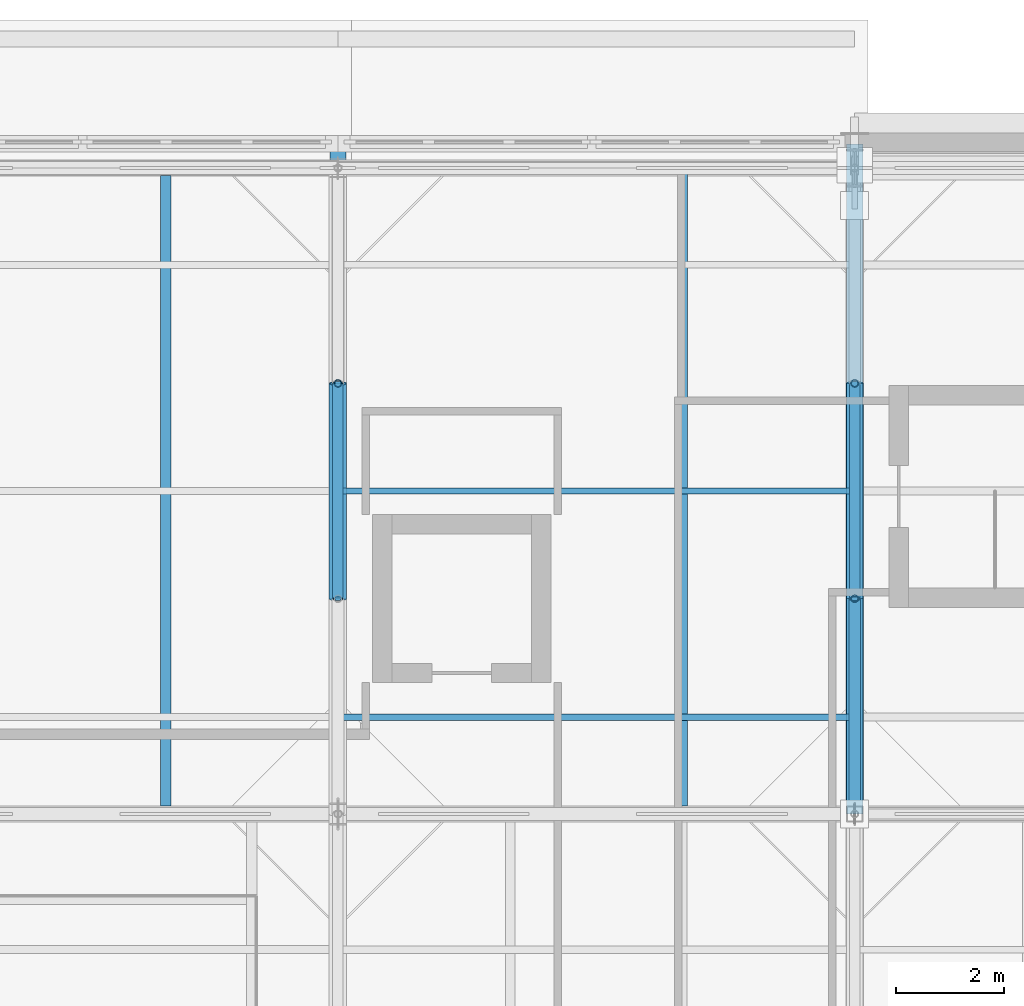
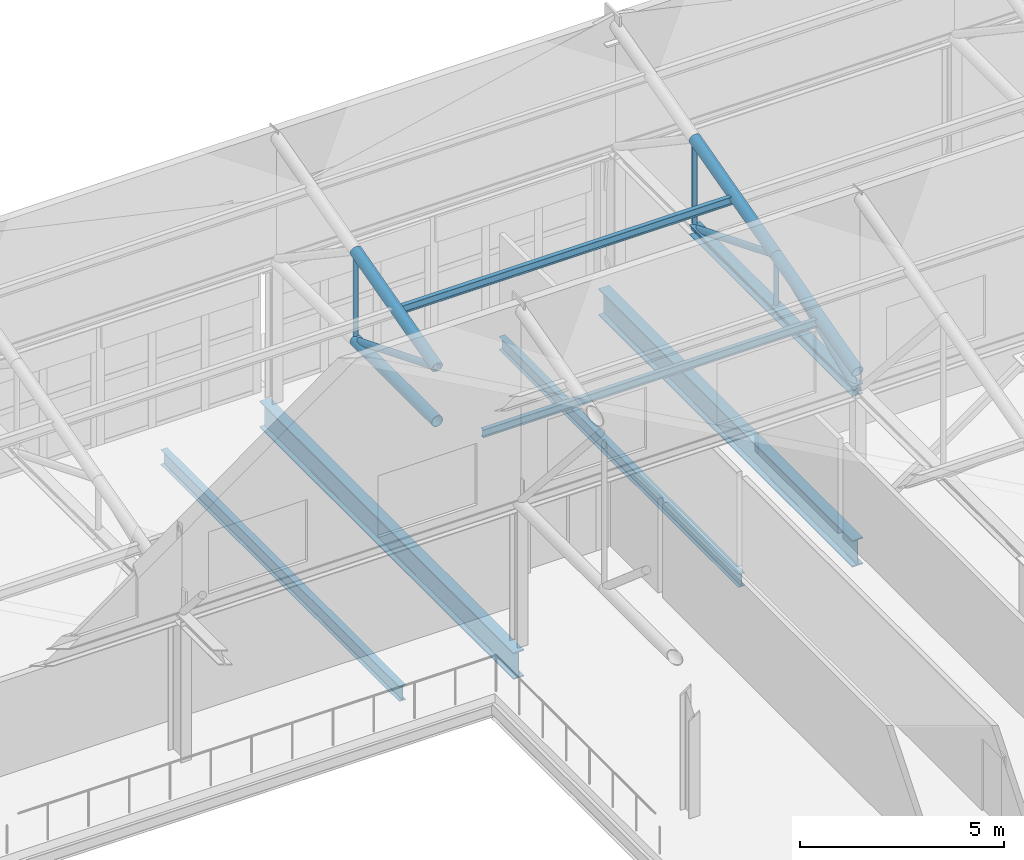
# One storey, part 41 of 89: 14 members, 4 beams.
"""IFC4 building model written with IfcOpenShell, lengths in metres."""

from ifc_helpers import new_model, si_unit, direction, frame, origin, origin_2d, place, context, subcontext, project, spatial, hollow_circle, i_section, extrude, material, material_profile, profile_set, type_object, element, save


model = new_model("IFC4")

# Units and contexts
model_context = context("Model", 3, precision=1e-05, world=origin(), true_north=direction((0.0, 1.0)))
body_context = subcontext(model_context, "Body", "Model", "MODEL_VIEW")
ifc_project = project(units=[si_unit("LENGTHUNIT", "METRE"), si_unit("AREAUNIT", "SQUARE_METRE"), si_unit("VOLUMEUNIT", "CUBIC_METRE"), si_unit("PLANEANGLEUNIT", "RADIAN"), si_unit("MASSUNIT", "GRAM", prefix="KILO")], contexts=[model_context])

# Site, building, storey
site_placement = place(None, origin())
site = spatial("IfcSite", under=ifc_project, at=site_placement, CompositionType="ELEMENT")
building_placement = place(site_placement, origin())
building = spatial("IfcBuilding", under=site, at=building_placement, Name="Zereglee Splitstone Museum", CompositionType="ELEMENT")
storey_placement = place(building_placement, frame((0.0, 0.0, 21.300048828125)))
storey = spatial("IfcBuildingStorey", under=building, at=storey_placement, Name="L04", CompositionType="ELEMENT", Elevation=21.300048828125)

# Members
ifc_material_1 = material(Name="Steel S355J2H", Category="steel")
ifc_material_profile_1 = material_profile(ifc_material_1, hollow_circle(Radius=0.096923828125, WallThickness=0.010009765625, at=origin_2d()), Name="CHS 193.7x10")
ifc_profile_set_1 = profile_set([ifc_material_profile_1], Name="Steel S355J2H")
member_type_1 = type_object("IfcMemberType", Name="TB-04", PredefinedType="BRACE", material=ifc_profile_set_1)
for number, where, z_axis, x_axis, name in (
    (1, (116.39990234375, 46.39990234375, 4.199951171875), (0.0, -0.927136001435, 0.374725012299), (1.0, 0.0, 0.0), "Roof Truss ST-05 Diagonal 3.2"),
    (2, (126.0, 46.39990234375, 4.199951171875), (0.0, -0.927136001435, 0.374725012299), (1.0, 0.0, 0.0), "Roof Truss ST-06 Diagonal 3.2"),
):
    element("IfcMember", number, at=place(storey_placement, frame(where, z_axis=z_axis, x_axis=x_axis)), inside=storey, type_object=member_type_1, Name=name, PredefinedType="BRACE", context=body_context, shape_type="SweptSolid", body=[
        extrude(hollow_circle(Radius=0.096923828125, WallThickness=0.010009765625, at=origin_2d()), origin(), (0.0, 0.0, 1.0), 4.314453125),
    ])
ifc_material_profile_2 = material_profile(ifc_material_1, hollow_circle(Radius=0.109619140625, WallThickness=0.010009765625, at=origin_2d()), Name="CHS 219.1x10")
ifc_profile_set_2 = profile_set([ifc_material_profile_2], Name="Steel S355J2H")
member_type_2 = type_object("IfcMemberType", Name="TB-03", PredefinedType="BRACE", material=ifc_profile_set_2)
member_1_placement = place(storey_placement, frame((126.0, 38.39990234375, 4.199951171875), z_axis=(0.0, 0.927136001435, 0.374725012299), x_axis=(-1.0, 0.0, 0.0)))
element("IfcMember", 3, at=member_1_placement, inside=storey, type_object=member_type_2, Name="Roof Truss ST-06 Diagonal 3.1", PredefinedType="BRACE", context=body_context, shape_type="SweptSolid", body=[
    extrude(hollow_circle(Radius=0.109619140625, WallThickness=0.010009765625, at=origin_2d()), origin(), (0.0, 0.0, 1.0), 4.314453125),
])
ifc_material_profile_3 = material_profile(ifc_material_1, hollow_circle(Radius=0.161865234375, WallThickness=0.01611328125, at=origin_2d()), Name="CHS 323.9x16")
ifc_profile_set_3 = profile_set([ifc_material_profile_3], Name="Steel S355J2H")
member_type_3 = type_object("IfcMemberType", Name="TC-05", PredefinedType="CHORD", material=ifc_profile_set_3)
member_2_placement = place(storey_placement, frame((116.39990234375, 42.39990234375, 4.199951171875), z_axis=(0.0, 1.0, 0.0), x_axis=(-1.0, 0.0, 0.0)))
element("IfcMember", 4, at=member_2_placement, inside=storey, type_object=member_type_3, Name="Roof Truss ST-05 Bottom Chord 3.2", PredefinedType="CHORD", context=body_context, shape_type="SweptSolid", body=[
    extrude(hollow_circle(Radius=0.161865234375, WallThickness=0.01611328125, at=origin_2d()), origin(), (0.0, 0.0, 1.0), 4.0),
])
for number, where, z_axis, x_axis, name in (
    (5, (116.39990234375, 42.39990234375, 5.816650390625), (0.0, 0.966235918422, 0.257658979955), (-1.0, 0.0, 0.0), "Roof Truss ST-05 Top Chord 3.2"),
    (6, (126.0, 38.39990234375, 4.75), (0.0, 0.966235918422, 0.257658979955), (-1.0, 0.0, 0.0), "Roof Truss ST-06 Top Chord 3.1"),
    (7, (126.0, 42.39990234375, 5.816650390625), (0.0, 0.966235918422, 0.257658979955), (-1.0, 0.0, 0.0), "Roof Truss ST-06 Top Chord 3.2"),
):
    element("IfcMember", number, at=place(storey_placement, frame(where, z_axis=z_axis, x_axis=x_axis)), inside=storey, type_object=member_type_3, Name=name, PredefinedType="CHORD", context=body_context, shape_type="SweptSolid", body=[
        extrude(hollow_circle(Radius=0.161865234375, WallThickness=0.01611328125, at=origin_2d()), origin(), (0.0, 0.0, 1.0), 4.139892578125),
    ])
ifc_material_2 = material(Name="Steel S355J2", Category="steel")
ifc_material_profile_4 = material_profile(ifc_material_2, i_section(OverallWidth=0.300048828125, OverallDepth=0.300048828125, WebThickness=0.010986328125, FlangeThickness=0.01904296875, FilletRadius=0.027099609375, at=origin_2d()), Name="HE 300 B")
ifc_profile_set_4 = profile_set([ifc_material_profile_4], Name="Steel S355J2")
member_type_4 = type_object("IfcMemberType", Name="TC-07", PredefinedType="CHORD", material=ifc_profile_set_4)
for number, where, z_axis, x_axis, name in (
    (8, (126.0, 38.39990234375, 4.199951171875), (0.0, 1.0, 0.0), (-1.0, 0.0, 0.0), "Roof Truss ST-06 Bottom Chord 3.1"),
    (9, (126.0, 42.39990234375, 4.199951171875), (0.0, 1.0, 0.0), (-1.0, 0.0, 0.0), "Roof Truss ST-06 Bottom Chord 3.2"),
):
    element("IfcMember", number, at=place(storey_placement, frame(where, z_axis=z_axis, x_axis=x_axis)), inside=storey, type_object=member_type_4, Name=name, PredefinedType="CHORD", context=body_context, shape_type="SweptSolid", body=[
        extrude(i_section(OverallWidth=0.300048828125, OverallDepth=0.300048828125, WebThickness=0.010986328125, FlangeThickness=0.01904296875, FilletRadius=0.027099609375, at=origin_2d()), origin(), (0.0, 0.0, 1.0), 4.0),
    ])

# Beams
ifc_material_profile_5 = material_profile(ifc_material_2, i_section(OverallWidth=0.300048828125, OverallDepth=0.800048828125, WebThickness=0.017578125, FlangeThickness=0.032958984375, FilletRadius=0.030029296875, at=origin_2d()), Name="HE 800 B")
ifc_profile_set_5 = profile_set([ifc_material_profile_5], Name="Steel S355J2")
beam_type_1 = type_object("IfcBeamType", Name="BG-07", PredefinedType="BEAM", material=ifc_profile_set_5)
for number, where, z_axis, x_axis, name in (
    (10, (116.39990234375, 38.39990234375, -0.66015625), (0.0, 1.0, 0.0), (-1.0, 0.0, 0.0), "Primary Girder L04 14 (38.4-50.9)"),
    (11, (126.0, 38.39990234375, -0.66015625), (0.0, 1.0, 0.0), (-1.0, 0.0, 0.0), "Primary Girder L04 15 (38.4-50.9)"),
):
    element("IfcBeam", number, at=place(storey_placement, frame(where, z_axis=z_axis, x_axis=x_axis)), inside=storey, type_object=beam_type_1, Name=name, PredefinedType="BEAM", context=body_context, shape_type="SweptSolid", body=[
        extrude(i_section(OverallWidth=0.300048828125, OverallDepth=0.800048828125, WebThickness=0.017578125, FlangeThickness=0.032958984375, FilletRadius=0.030029296875, at=origin_2d()), origin(), (0.0, 0.0, 1.0), 12.4501953125),
    ])
ifc_material_profile_6 = material_profile(ifc_material_2, i_section(OverallWidth=0.179931640625, OverallDepth=0.39990234375, WebThickness=0.008544921875, FlangeThickness=0.013427734375, FilletRadius=0.02099609375, at=origin_2d()), Name="IPE 400")
ifc_profile_set_6 = profile_set([ifc_material_profile_6], Name="Steel S355J2")
beam_type_2 = type_object("IfcBeamType", Name="BJ-03", PredefinedType="JOIST", material=ifc_profile_set_6)
beam_1_placement = place(storey_placement, frame((122.800048828125, 38.550048828125, -0.4599609375), z_axis=(0.0, 1.0, 0.0), x_axis=(-1.0, 0.0, 0.0)))
element("IfcBeam", 12, at=beam_1_placement, inside=storey, type_object=beam_type_2, Name="Secondary Floor Joist L04-1556", PredefinedType="JOIST", context=body_context, shape_type="SweptSolid", body=[
    extrude(i_section(OverallWidth=0.179931640625, OverallDepth=0.39990234375, WebThickness=0.008544921875, FlangeThickness=0.013427734375, FilletRadius=0.02099609375, at=origin_2d()), origin(), (0.0, 0.0, 1.0), 11.75),
])
ifc_material_profile_7 = material_profile(ifc_material_2, i_section(OverallWidth=0.18994140625, OverallDepth=0.449951171875, WebThickness=0.009521484375, FlangeThickness=0.0146484375, FilletRadius=0.02099609375, at=origin_2d()), Name="IPE 450")
ifc_profile_set_7 = profile_set([ifc_material_profile_7], Name="Steel S355J2")
beam_type_3 = type_object("IfcBeamType", Name="BJ-02", PredefinedType="JOIST", material=ifc_profile_set_7)
beam_2_placement = place(storey_placement, frame((113.199951171875, 38.550048828125, -0.485107421875), z_axis=(0.0, 1.0, 0.0), x_axis=(-1.0, 0.0, 0.0)))
element("IfcBeam", 13, at=beam_2_placement, inside=storey, type_object=beam_type_3, Name="Secondary Floor Joist L04-1555", PredefinedType="JOIST", context=body_context, shape_type="SweptSolid", body=[
    extrude(i_section(OverallWidth=0.18994140625, OverallDepth=0.449951171875, WebThickness=0.009521484375, FlangeThickness=0.0146484375, FilletRadius=0.02099609375, at=origin_2d()), origin(), (0.0, 0.0, 1.0), 11.7099609375),
])

# Members
ifc_material_profile_8 = material_profile(ifc_material_1, hollow_circle(Radius=0.06982421875, WallThickness=0.008056640625, at=origin_2d()), Name="CHS 139.7x8")
ifc_profile_set_8 = profile_set([ifc_material_profile_8], Name="Steel S355J2H")
member_type_5 = type_object("IfcMemberType", Name="TP-03", PredefinedType="POST", material=ifc_profile_set_8)
member_3_placement = place(storey_placement, frame((116.39990234375, 46.39990234375, 4.199951171875), z_axis=(0.0, 0.0, 1.0), x_axis=(1.0, 0.0, 0.0)))
element("IfcMember", 14, at=member_3_placement, inside=storey, type_object=member_type_5, Name="Roof Truss ST-05 Post 3.2", PredefinedType="POST", context=body_context, shape_type="SweptSolid", body=[
    extrude(hollow_circle(Radius=0.06982421875, WallThickness=0.008056640625, at=origin_2d()), origin(), (0.0, 0.0, 1.0), 2.683349609375),
])
member_4_placement = place(storey_placement, frame((126.0, 42.39990234375, 4.199951171875), z_axis=(0.0, 0.0, 1.0), x_axis=(1.0, 0.0, 0.0)))
element("IfcMember", 15, at=member_4_placement, inside=storey, type_object=member_type_5, Name="Roof Truss ST-06 Post 3.1", PredefinedType="POST", context=body_context, shape_type="SweptSolid", body=[
    extrude(hollow_circle(Radius=0.06982421875, WallThickness=0.008056640625, at=origin_2d()), origin(), (0.0, 0.0, 1.0), 1.61669921875),
])
member_5_placement = place(storey_placement, frame((126.0, 46.39990234375, 4.199951171875), z_axis=(0.0, 0.0, 1.0), x_axis=(1.0, 0.0, 0.0)))
element("IfcMember", 16, at=member_5_placement, inside=storey, type_object=member_type_5, Name="Roof Truss ST-06 Post 3.2", PredefinedType="POST", context=body_context, shape_type="SweptSolid", body=[
    extrude(hollow_circle(Radius=0.06982421875, WallThickness=0.008056640625, at=origin_2d()), origin(), (0.0, 0.0, 1.0), 2.683349609375),
])
ifc_material_profile_9 = material_profile(ifc_material_2, i_section(OverallWidth=0.1201171875, OverallDepth=0.239990234375, WebThickness=0.006103515625, FlangeThickness=0.009765625, FilletRadius=0.014892578125, at=origin_2d()), Name="IPE 240")
ifc_profile_set_9 = profile_set([ifc_material_profile_9], Name="Steel S355J2")
member_type_6 = type_object("IfcMemberType", Name="PR-03", PredefinedType="PURLIN", material=ifc_profile_set_9)
for number, where, z_axis, x_axis, name in (
    (17, (116.39990234375, 40.199951171875, 5.18408203125), (1.0, 0.0, 0.0), (0.0, 1.0, 0.0), "Sawtooth Roof Purlin B5-S3-1"),
    (18, (116.39990234375, 44.39990234375, 6.30419921875), (1.0, 0.0, 0.0), (0.0, 1.0, 0.0), "Sawtooth Roof Purlin B5-S3-2"),
):
    element("IfcMember", number, at=place(storey_placement, frame(where, z_axis=z_axis, x_axis=x_axis)), inside=storey, type_object=member_type_6, Name=name, PredefinedType="PURLIN", context=body_context, shape_type="SweptSolid", body=[
        extrude(i_section(OverallWidth=0.1201171875, OverallDepth=0.239990234375, WebThickness=0.006103515625, FlangeThickness=0.009765625, FilletRadius=0.014892578125, at=origin_2d()), origin(), (0.0, 0.0, 1.0), 9.60009765625),
    ])

save(model, "model.ifc")
